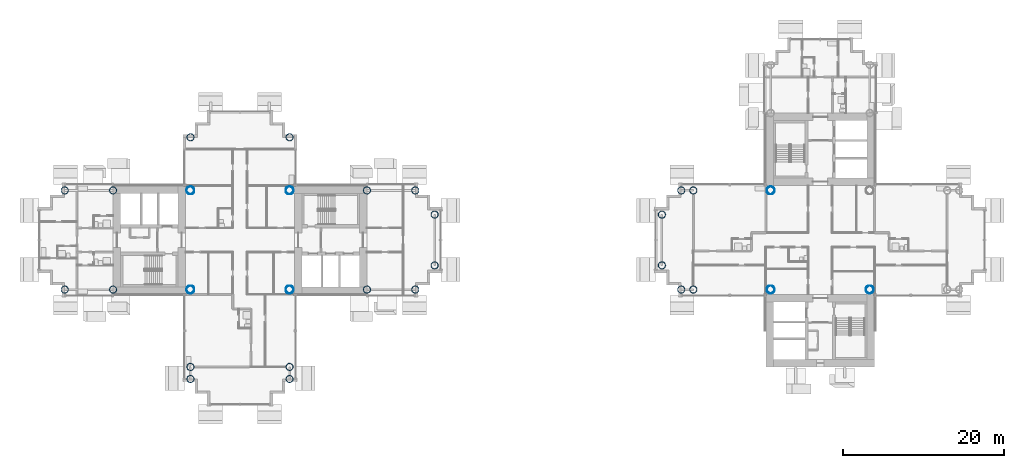
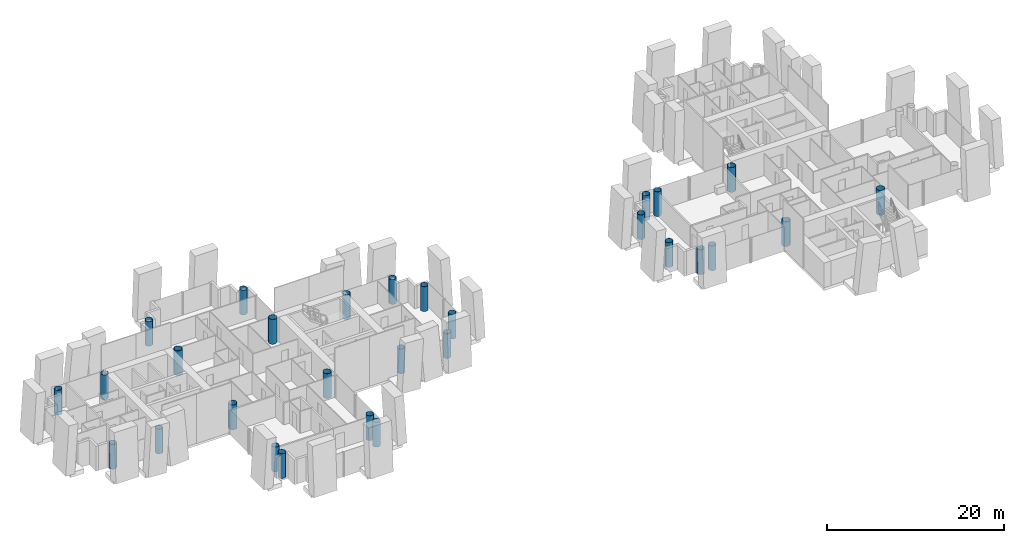
# One storey, part 1 of 21: 29 columns.
"""IFC4 building model written with IfcOpenShell, lengths in metres."""

from ifc_helpers import new_model, si_unit, direction, frame, origin, origin_2d, place, context, subcontext, project, spatial, hollow_circle, extrude, material, material_profile, profile_set, type_object, element, save


model = new_model("IFC4")

# Units and contexts
model_context = context("Model", 3, precision=1e-05, world=origin(), true_north=direction((0.0, 1.0)))
body_context = subcontext(model_context, "Body", "Model", "MODEL_VIEW")
ifc_project = project(units=[si_unit("LENGTHUNIT", "METRE"), si_unit("AREAUNIT", "SQUARE_METRE"), si_unit("VOLUMEUNIT", "CUBIC_METRE"), si_unit("PLANEANGLEUNIT", "RADIAN"), si_unit("MASSUNIT", "GRAM", prefix="KILO")], contexts=[model_context])

# Site, building, storey
site_placement = place(None, origin())
site = spatial("IfcSite", under=ifc_project, at=site_placement, CompositionType="ELEMENT")
building_placement = place(site_placement, origin())
building = spatial("IfcBuilding", under=site, at=building_placement, Name="Ipe Terrace Towers", CompositionType="ELEMENT")
storey_placement = place(building_placement, frame((0.0, 0.0, 80.0)))
storey = spatial("IfcBuildingStorey", under=building, at=storey_placement, Name="L21", CompositionType="ELEMENT", Elevation=80.0)

# Columns
ifc_material_1 = material(Name="Steel S355 tube with Concrete C60/75 fill", Category="concrete")
ifc_material_profile_1 = material_profile(ifc_material_1, hollow_circle(Radius=0.5, WallThickness=0.035888671875, at=origin_2d()), Name="CHS-1000x36")
ifc_profile_set_1 = profile_set([ifc_material_profile_1], Name="Steel S355 tube with Concrete C60/75 fill")
column_type_1 = type_object("IfcColumnType", Name="CH01 COLUMN CHS-1000x36", PredefinedType="COLUMN", material=ifc_profile_set_1)
for number, where, z_axis, x_axis, name in (
    (1, (-42.14990234375, -6.14990234375, 0.0), (0.0, 0.0, 1.0), (1.0, 0.0, 0.0), "Column T1-C-E01"),
    (2, (-29.85009765625, -6.14990234375, 0.0), (0.0, 0.0, 1.0), (1.0, 0.0, 0.0), "Column T1-C-E02"),
    (3, (-29.85009765625, 6.14990234375, 0.0), (0.0, 0.0, 1.0), (1.0, 0.0, 0.0), "Column T1-C-E03"),
    (4, (-42.14990234375, 6.14990234375, 0.0), (0.0, 0.0, 1.0), (1.0, 0.0, 0.0), "Column T1-C-E04"),
    (5, (42.14990234375, -6.14990234375, 0.0), (0.0, 0.0, 1.0), (1.0, 0.0, 0.0), "Column T2-C-E01"),
    (6, (29.85009765625, 6.14990234375, 0.0), (0.0, 0.0, 1.0), (1.0, 0.0, 0.0), "Column T2-C-E03"),
    (7, (29.85009765625, -6.14990234375, 0.0), (0.0, 0.0, 1.0), (1.0, 0.0, 0.0), "Column T2-C-E04"),
):
    element("IfcColumn", number, at=place(storey_placement, frame(where, z_axis=z_axis, x_axis=x_axis)), inside=storey, type_object=column_type_1, Name=name, PredefinedType="COLUMN", context=body_context, shape_type="SweptSolid", body=[
        extrude(hollow_circle(Radius=0.5, WallThickness=0.035888671875, at=origin_2d()), origin(), (0.0, 0.0, 1.0), 3.39990234375),
    ])
ifc_material_2 = material(Name="Steel S355 tube with Concrete C60/75 fill", Category="concrete")
ifc_material_profile_2 = material_profile(ifc_material_2, hollow_circle(Radius=0.449951171875, WallThickness=0.031982421875, at=origin_2d()), Name="CHS-900x32")
ifc_profile_set_2 = profile_set([ifc_material_profile_2], Name="Steel S355 tube with Concrete C60/75 fill")
column_type_2 = type_object("IfcColumnType", Name="CH10 COLUMN CHS-900x32", PredefinedType="COLUMN", material=ifc_profile_set_2)
for number, where, z_axis, x_axis, name in (
    (8, (-20.25, -6.14990234375, 0.0), (0.0, 0.0, 1.0), (1.0, 0.0, 0.0), "Column T1-C-A01"),
    (9, (-20.25, 6.14990234375, 0.0), (0.0, 0.0, 1.0), (1.0, 0.0, 0.0), "Column T1-C-A02"),
    (10, (-14.25, -6.14990234375, 0.0), (0.0, 0.0, 1.0), (1.0, 0.0, 0.0), "Column T1-C-A03"),
    (11, (-14.25, 6.14990234375, 0.0), (0.0, 0.0, 1.0), (1.0, 0.0, 0.0), "Column T1-C-A04"),
    (12, (-11.85009765625, -3.14990234375, 0.0), (0.0, 0.0, 1.0), (1.0, 0.0, 0.0), "Column T1-C-A05"),
    (13, (-11.85009765625, 3.14990234375, 0.0), (0.0, 0.0, 1.0), (1.0, 0.0, 0.0), "Column T1-C-A06"),
    (14, (-29.85009765625, 12.75, 0.0), (0.0, 0.0, 1.0), (1.0, 0.0, 0.0), "Column T1-C-B01"),
    (15, (-42.14990234375, 12.75, 0.0), (0.0, 0.0, 1.0), (1.0, 0.0, 0.0), "Column T1-C-B02"),
    (16, (-51.75, -6.14990234375, 0.0), (0.0, 0.0, 1.0), (1.0, 0.0, 0.0), "Column T1-C-C01"),
    (17, (-51.75, 6.14990234375, 0.0), (0.0, 0.0, 1.0), (1.0, 0.0, 0.0), "Column T1-C-C02"),
    (18, (-57.75, -6.14990234375, 0.0), (0.0, 0.0, 1.0), (1.0, 0.0, 0.0), "Column T1-C-C03"),
    (19, (-57.75, 6.14990234375, 0.0), (0.0, 0.0, 1.0), (1.0, 0.0, 0.0), "Column T1-C-C04"),
    (20, (-42.14990234375, -15.75, 0.0), (0.0, 0.0, 1.0), (1.0, 0.0, 0.0), "Column T1-C-D03"),
    (21, (-29.85009765625, -15.75, 0.0), (0.0, 0.0, 1.0), (1.0, 0.0, 0.0), "Column T1-C-D04"),
    (22, (-42.14990234375, -17.25, 0.0), (0.0, 0.0, 1.0), (1.0, 0.0, 0.0), "Column T1-C-D05"),
    (23, (-29.85009765625, -17.25, 0.0), (0.0, 0.0, 1.0), (1.0, 0.0, 0.0), "Column T1-C-D06"),
    (24, (20.25, 6.14990234375, 0.0), (0.0, 0.0, 1.0), (1.0, 0.0, 0.0), "Column T2-C-B03"),
    (25, (20.25, -6.14990234375, 0.0), (0.0, 0.0, 1.0), (1.0, 0.0, 0.0), "Column T2-C-B04"),
    (26, (18.75, 6.14990234375, 0.0), (0.0, 0.0, 1.0), (1.0, 0.0, 0.0), "Column T2-C-B05"),
    (27, (18.75, -6.14990234375, 0.0), (0.0, 0.0, 1.0), (1.0, 0.0, 0.0), "Column T2-C-B06"),
    (28, (16.35009765625, 3.14990234375, 0.0), (0.0, 0.0, 1.0), (1.0, 0.0, 0.0), "Column T2-C-B07"),
    (29, (16.35009765625, -3.14990234375, 0.0), (0.0, 0.0, 1.0), (1.0, 0.0, 0.0), "Column T2-C-B08"),
):
    element("IfcColumn", number, at=place(storey_placement, frame(where, z_axis=z_axis, x_axis=x_axis)), inside=storey, type_object=column_type_2, Name=name, PredefinedType="COLUMN", context=body_context, shape_type="SweptSolid", body=[
        extrude(hollow_circle(Radius=0.449951171875, WallThickness=0.031982421875, at=origin_2d()), origin(), (0.0, 0.0, 1.0), 3.39990234375),
    ])

save(model, "model.ifc")
